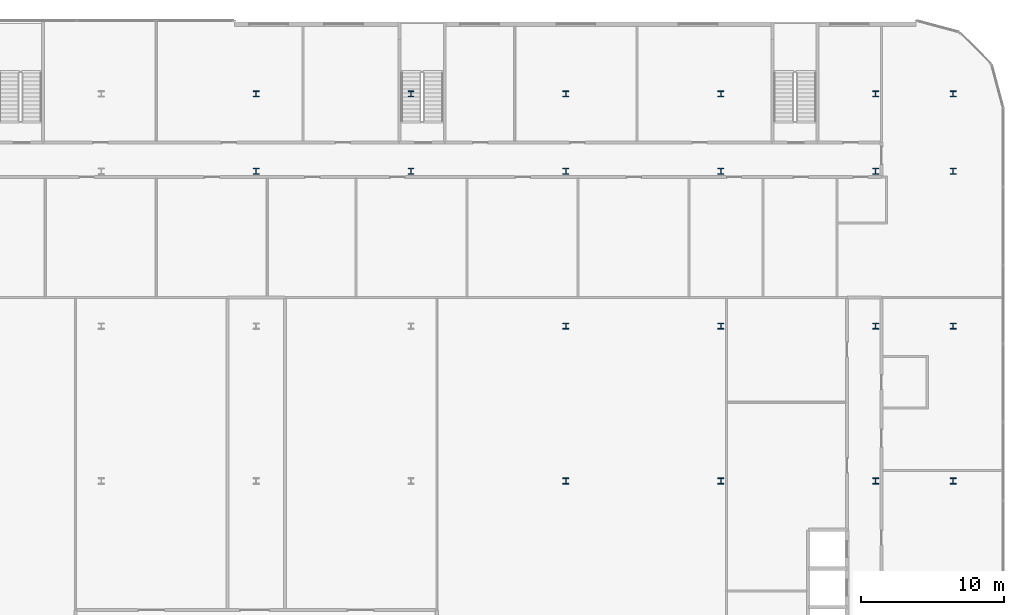
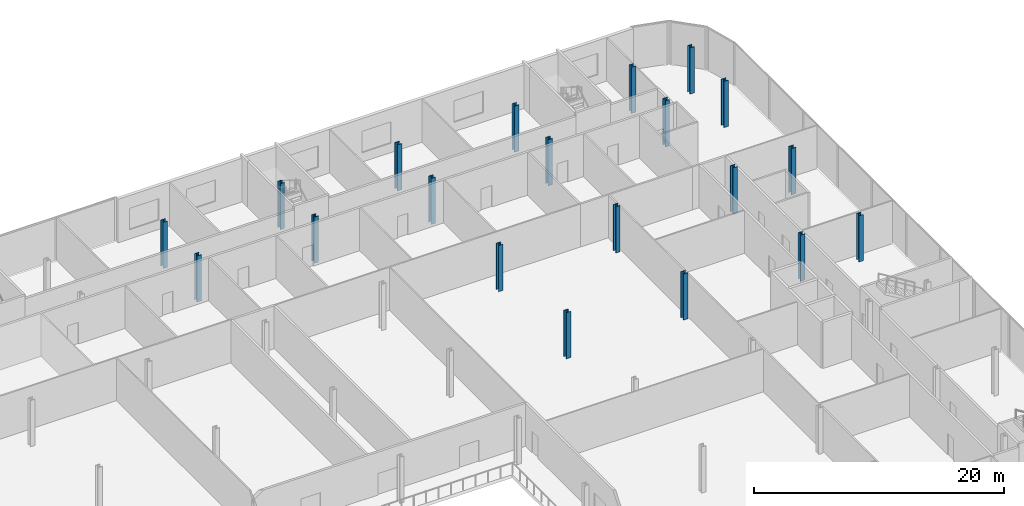
# One storey, part 5 of 47: 20 columns.
"""IFC4 building model written with IfcOpenShell, lengths in metres."""

from ifc_helpers import new_model, si_unit, direction, frame, origin, origin_2d, place, context, subcontext, project, spatial, i_section, extrude, material, material_profile, profile_set, type_object, element, save


model = new_model("IFC4")

# Units and contexts
model_context = context("Model", 3, precision=1e-05, world=origin(), true_north=direction((0.0, 1.0)))
body_context = subcontext(model_context, "Body", "Model", "MODEL_VIEW")
ifc_project = project(units=[si_unit("LENGTHUNIT", "METRE"), si_unit("AREAUNIT", "SQUARE_METRE"), si_unit("VOLUMEUNIT", "CUBIC_METRE"), si_unit("PLANEANGLEUNIT", "RADIAN"), si_unit("MASSUNIT", "GRAM", prefix="KILO")], contexts=[model_context])

# Site, building, storey
site_placement = place(None, origin())
site = spatial("IfcSite", under=ifc_project, at=site_placement, CompositionType="ELEMENT")
building_placement = place(site_placement, origin())
building = spatial("IfcBuilding", under=site, at=building_placement, Name="Kheshtan School and Residences Tower", CompositionType="ELEMENT")
storey_placement = place(building_placement, frame((0.0, 0.0, 21.5)))
storey = spatial("IfcBuildingStorey", under=building, at=storey_placement, Name="L04", CompositionType="ELEMENT", Elevation=21.5)

# Columns
ifc_material = material(Name="Steel ASTM A992 Grade 50", Category="steel")
ifc_material_profile = material_profile(ifc_material, i_section(OverallWidth=0.408935546875, OverallDepth=0.425048828125, WebThickness=0.03271484375, FlangeThickness=0.052490234375, FilletRadius=0.0126953125, at=origin_2d()), Name="W360x421")
ifc_profile_set = profile_set([ifc_material_profile], Name="Steel ASTM A992 Grade 50")
column_type = type_object("IfcColumnType", Name="Column PC2 W360x421 ASTM A992 Grade 50", PredefinedType="COLUMN", material=ifc_profile_set)
for number, where, z_axis, x_axis, name in (
    (1, (101.60009765625, 78.0, 0.0), (0.0, 0.0, 1.0), (1.0, 0.0, 0.0), "Column P-081"),
    (2, (112.39990234375, 78.0, 0.0), (0.0, 0.0, 1.0), (1.0, 0.0, 0.0), "Column P-082"),
    (3, (123.199951171875, 78.0, 0.0), (0.0, 0.0, 1.0), (1.0, 0.0, 0.0), "Column P-083"),
    (4, (128.60009765625, 78.0, 0.0), (0.0, 0.0, 1.0), (1.0, 0.0, 0.0), "Column P-084"),
    (5, (101.60009765625, 88.800048828125, 0.0), (0.0, 0.0, 1.0), (1.0, 0.0, 0.0), "Column P-093"),
    (6, (112.39990234375, 88.800048828125, 0.0), (0.0, 0.0, 1.0), (1.0, 0.0, 0.0), "Column P-094"),
    (7, (123.199951171875, 88.800048828125, 0.0), (0.0, 0.0, 1.0), (1.0, 0.0, 0.0), "Column P-095"),
    (8, (128.60009765625, 88.800048828125, 0.0), (0.0, 0.0, 1.0), (1.0, 0.0, 0.0), "Column P-096"),
    (9, (80.0, 99.60009765625, 0.0), (0.0, 0.0, 1.0), (1.0, 0.0, 0.0), "Column P-103"),
    (10, (90.800048828125, 99.60009765625, 0.0), (0.0, 0.0, 1.0), (1.0, 0.0, 0.0), "Column P-104"),
    (11, (101.60009765625, 99.60009765625, 0.0), (0.0, 0.0, 1.0), (1.0, 0.0, 0.0), "Column P-105"),
    (12, (112.39990234375, 99.60009765625, 0.0), (0.0, 0.0, 1.0), (1.0, 0.0, 0.0), "Column P-106"),
    (13, (123.199951171875, 99.60009765625, 0.0), (0.0, 0.0, 1.0), (1.0, 0.0, 0.0), "Column P-107"),
    (14, (128.60009765625, 99.60009765625, 0.0), (0.0, 0.0, 1.0), (1.0, 0.0, 0.0), "Column P-108"),
    (15, (80.0, 105.0, 0.0), (0.0, 0.0, 1.0), (1.0, 0.0, 0.0), "Column P-115"),
    (16, (90.800048828125, 105.0, 0.0), (0.0, 0.0, 1.0), (1.0, 0.0, 0.0), "Column P-116"),
    (17, (101.60009765625, 105.0, 0.0), (0.0, 0.0, 1.0), (1.0, 0.0, 0.0), "Column P-117"),
    (18, (112.39990234375, 105.0, 0.0), (0.0, 0.0, 1.0), (1.0, 0.0, 0.0), "Column P-118"),
    (19, (123.199951171875, 105.0, 0.0), (0.0, 0.0, 1.0), (1.0, 0.0, 0.0), "Column P-119"),
    (20, (128.60009765625, 105.0, 0.0), (0.0, 0.0, 1.0), (1.0, 0.0, 0.0), "Column P-120"),
):
    element("IfcColumn", number, at=place(storey_placement, frame(where, z_axis=z_axis, x_axis=x_axis)), inside=storey, type_object=column_type, Name=name, PredefinedType="COLUMN", context=body_context, shape_type="SweptSolid", body=[
        extrude(i_section(OverallWidth=0.408935546875, OverallDepth=0.425048828125, WebThickness=0.03271484375, FlangeThickness=0.052490234375, FilletRadius=0.0126953125, at=origin_2d()), origin(), (0.0, 0.0, 1.0), 4.5),
    ])

save(model, "model.ifc")
